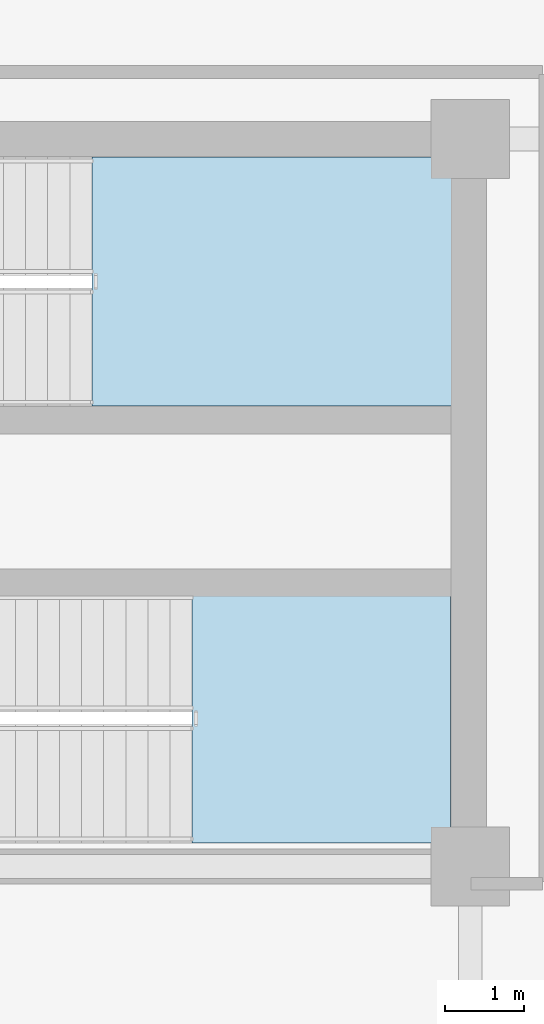
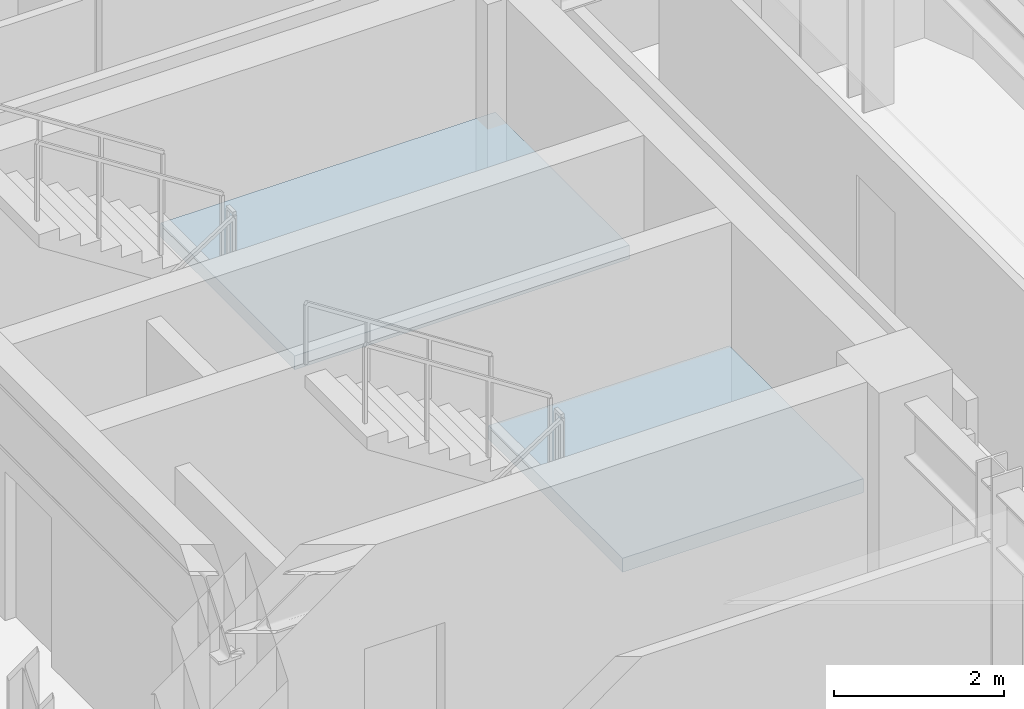
# One storey, part 4 of 13: 2 slabs, 2 elements without a shape of their own.
"""IFC4 building model written with IfcOpenShell, lengths in metres."""

from ifc_helpers import new_model, si_unit, direction, frame, origin, place, context, subcontext, project, spatial, polyline, outline, extrude, material, layer, layer_set, type_object, element, aggregate, save


model = new_model("IFC4")

# Units and contexts
model_context = context("Model", 3, precision=1e-05, world=origin(), true_north=direction((0.0, 1.0)))
body_context = subcontext(model_context, "Body", "Model", "MODEL_VIEW")
ifc_project = project(units=[si_unit("LENGTHUNIT", "METRE"), si_unit("AREAUNIT", "SQUARE_METRE"), si_unit("VOLUMEUNIT", "CUBIC_METRE"), si_unit("PLANEANGLEUNIT", "RADIAN"), si_unit("MASSUNIT", "GRAM", prefix="KILO")], contexts=[model_context])

# Site, building, storey
site_placement = place(None, origin())
site = spatial("IfcSite", under=ifc_project, at=site_placement, CompositionType="ELEMENT")
building_placement = place(site_placement, origin())
building = spatial("IfcBuilding", under=site, at=building_placement, Name="Zarnavel Station Tower", CompositionType="ELEMENT")
storey_placement = place(building_placement, frame((0.0, 0.0, 204.0)))
storey = spatial("IfcBuildingStorey", under=building, at=storey_placement, Name="L55", CompositionType="ELEMENT", Elevation=204.0)

# Stair, slab
ifc_material_1 = material(Name="Concrete C45/55", Category="concrete")
stair_type = type_object("IfcStairType", Name="ST_CORE_150", PredefinedType="HALF_TURN_STAIR", material=ifc_material_1)
stair_1_placement = place(storey_placement, origin())
stair_1 = element("IfcStair", 1, at=stair_1_placement, inside=storey, type_object=stair_type, Name="L55 Core Exit Stair ST2", PredefinedType="HALF_TURN_STAIR")
ifc_material_2 = material(Name="Concrete C45/55", Category="concrete")
ifc_layer = layer(ifc_material_2, 0.199951171875)
ifc_layer_set = layer_set([ifc_layer], Name="SL_STAIR_LAND_200")
slab_type = type_object("IfcSlabType", Name="SL_STAIR_LAND_200", PredefinedType="LANDING", material=ifc_layer_set)
slab_1_placement = place(storey_placement, frame((0.0, 0.0, 1.60009765625)))
slab_1 = element("IfcSlab", 2, at=slab_1_placement, type_object=slab_type, Name="ST2 landing 1", PredefinedType="LANDING", context=body_context, shape_type="SweptSolid", body=[
    extrude(outline(polyline([(40.60009765625, 33.659912109375), (45.159912109375, 33.659912109375), (45.159912109375, 36.820068359375), (40.60009765625, 36.820068359375), (40.60009765625, 33.659912109375)])), origin(), (0.0, 0.0, 1.0), 0.199951171875),
])
aggregate(stair_1, [slab_1])

stair_2_placement = place(storey_placement, origin())
stair_2 = element("IfcStair", 3, at=stair_2_placement, inside=storey, type_object=stair_type, Name="L55 Core Exit Stair ST3", PredefinedType="HALF_TURN_STAIR")
slab_2_placement = place(storey_placement, frame((0.0, 0.0, 1.60009765625)))
slab_2 = element("IfcSlab", 4, at=slab_2_placement, type_object=slab_type, Name="ST3 landing 1", PredefinedType="LANDING", context=body_context, shape_type="SweptSolid", body=[
    extrude(outline(polyline([(41.8701171875, 28.1201171875), (45.14990234375, 28.1201171875), (45.14990234375, 31.280029296875), (41.8701171875, 31.280029296875), (41.8701171875, 28.1201171875)])), origin(), (0.0, 0.0, 1.0), 0.199951171875),
])
aggregate(stair_2, [slab_2])

save(model, "model.ifc")
